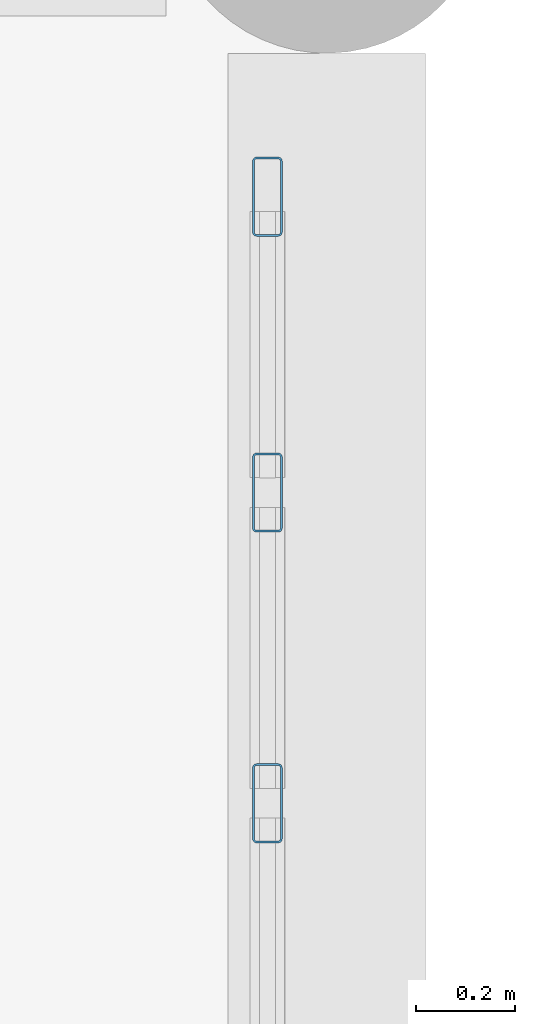
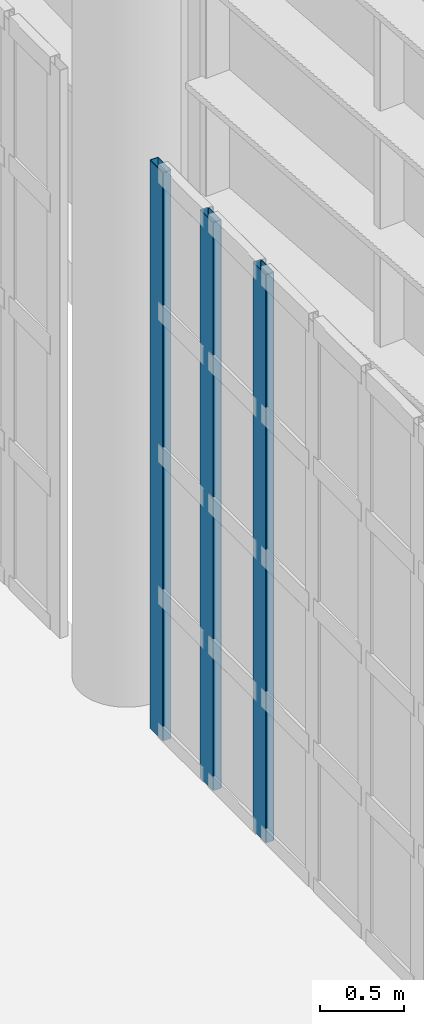
# One storey, part 188 of 372: 3 members, 1 element without a shape of its own.
"""IFC4 building model written with IfcOpenShell, lengths in metres."""

import ifcopenshell
import ifcopenshell.guid

model = None  # the IFC model being written
_history = None  # IfcOwnerHistory: only IFC2X3 demands one
_inside = {}  # id of a spatial element -> (the spatial element, [elements in it])
_under = {}  # id of a project, library or spatial element -> (it, [spatial elements below it])
_declared = {}  # id of a project -> (the project, [libraries it declares])
_typed = {}  # id of a type object -> (the type object, [elements of that type])
_made_of = {}  # id of a material, layer set ... -> (it, [elements and type objects made of it])


def new_model(schema):
    """Start an empty IFC model of exactly this schema.

    Asked for "IFC4X3", IfcOpenShell would pick the latest addendum, in which some entities
    have other attributes; the version numbers below select the first issue.
    IFC2X3 requires an IfcOwnerHistory on every rooted entity: one is made here for all.
    """
    global model, _history
    if schema == "IFC4X3":
        model = ifcopenshell.file(schema_version=(4, 3, 0, 0))
    else:
        model = ifcopenshell.file(schema=schema)
    _inside.clear()
    _under.clear()
    _declared.clear()
    _typed.clear()
    _made_of.clear()
    _history = None
    if model.schema == "IFC2X3":
        org = make("IfcOrganization", Name="unknown")
        user = make(
            "IfcPersonAndOrganization",
            ThePerson=make("IfcPerson", FamilyName="unknown"),
            TheOrganization=org,
        )
        app = make(
            "IfcApplication",
            ApplicationDeveloper=org,
            Version="unknown",
            ApplicationFullName="unknown",
            ApplicationIdentifier="unknown",
        )
        _history = make(
            "IfcOwnerHistory",
            OwningUser=user,
            OwningApplication=app,
            ChangeAction="ADDED",
            CreationDate=0,
        )
    return model


def make(cls, **values):
    """One entity of the class cls with the attributes given. An attribute that is None is left unset."""
    return model.create_entity(
        cls, **{name: value for name, value in values.items() if value is not None}
    )


def rooted(cls, **values):
    """An entity with a GlobalId (a new one), such as an element, a storey or a relation."""
    return make(cls, GlobalId=ifcopenshell.guid.new(), OwnerHistory=_history, **values)


def si_unit(unit_type, name, prefix=None):
    """IfcSIUnit, for example si_unit("LENGTHUNIT", "METRE", prefix="MILLI")."""
    return make("IfcSIUnit", UnitType=unit_type, Prefix=prefix, Name=name)


def assignment(units):
    """IfcUnitAssignment: the units of a project."""
    return None if units is None else make("IfcUnitAssignment", Units=units)


def point(xyz):
    """IfcCartesianPoint."""
    return None if xyz is None else make("IfcCartesianPoint", Coordinates=xyz)


def direction(xyz):
    """IfcDirection."""
    return None if xyz is None else make("IfcDirection", DirectionRatios=xyz)


def frame(location, z_axis=None, x_axis=None):
    """IfcAxis2Placement3D, a coordinate frame: its origin and axes. An axis left out is left unset."""
    return make(
        "IfcAxis2Placement3D",
        Location=point(location),
        Axis=direction(z_axis),
        RefDirection=direction(x_axis),
    )


def frame_2d(location, x_axis=None):
    """IfcAxis2Placement2D, a coordinate frame in the plane: its origin and x axis."""
    return make(
        "IfcAxis2Placement2D", Location=point(location), RefDirection=direction(x_axis)
    )


def origin():
    """The frame at (0, 0, 0) with its axes left unset."""
    return frame((0.0, 0.0, 0.0))


def origin_2d():
    """The frame at (0, 0) in the plane with its x axis left unset."""
    return frame_2d((0.0, 0.0))


def place(relative_to, where):
    """IfcLocalPlacement: puts the frame where relative to a parent placement (None: the world)."""
    return make(
        "IfcLocalPlacement", PlacementRelTo=relative_to, RelativePlacement=where
    )


def context(
    kind, dimensions, precision=None, world=None, true_north=None, identifier=None
):
    """IfcGeometricRepresentationContext, for example the 3D "Model" context."""
    return make(
        "IfcGeometricRepresentationContext",
        ContextIdentifier=identifier,
        ContextType=kind,
        CoordinateSpaceDimension=dimensions,
        Precision=precision,
        WorldCoordinateSystem=world,
        TrueNorth=true_north,
    )


def subcontext(parent, identifier, kind, view, scale=None):
    """IfcGeometricRepresentationSubContext, for example "Body" below "Model"."""
    return make(
        "IfcGeometricRepresentationSubContext",
        ContextIdentifier=identifier,
        ContextType=kind,
        ParentContext=parent,
        TargetScale=scale,
        TargetView=view,
    )


def project(units=None, contexts=None):
    """IfcProject with its units and contexts."""
    return rooted(
        "IfcProject",
        Name="project",
        RepresentationContexts=contexts,
        UnitsInContext=assignment(units),
    )


def spatial(cls, under=None, at=None, **own):
    """A site, building, storey or space (cls), placed at a placement, below another one or the project."""
    s = rooted(cls, ObjectPlacement=at, **own)
    if under is not None:
        _under.setdefault(under.id(), (under, []))[1].append(s)
    return s


def profile(cls, at=None, kind="AREA", **sizes):
    """A parametric profile (cls). Its sizes go by their IFC names, for example OverallWidth=200.0."""
    return make(cls, ProfileType=kind, Position=at, **sizes)


def hollow_rectangle(**sizes):
    """IfcRectangleHollowProfileDef."""
    return profile("IfcRectangleHollowProfileDef", **sizes)


def extrude(swept, where, along, depth):
    """IfcExtrudedAreaSolid: the profile swept, set in the frame where, extruded along a direction by depth."""
    return make(
        "IfcExtrudedAreaSolid",
        SweptArea=swept,
        Position=where,
        ExtrudedDirection=direction(along),
        Depth=depth,
    )


def shape(context_of_items, identifier, shape_type, items):
    """IfcShapeRepresentation: the items that make up one representation, for example the "Body"."""
    return make(
        "IfcShapeRepresentation",
        ContextOfItems=context_of_items,
        RepresentationIdentifier=identifier,
        RepresentationType=shape_type,
        Items=items,
    )


def material(Name=None, Category=None):
    """IfcMaterial."""
    return make("IfcMaterial", Name=Name, Category=Category)


def material_profile(
    of_material, cross_section, Name=None, Category=None, Priority=None
):
    """IfcMaterialProfile: a cross section and its material."""
    return make(
        "IfcMaterialProfile",
        Name=Name,
        Material=of_material,
        Profile=cross_section,
        Priority=Priority,
        Category=Category,
    )


def profile_set(profiles, Name=None, composite=None):
    """IfcMaterialProfileSet."""
    return make(
        "IfcMaterialProfileSet",
        Name=Name,
        MaterialProfiles=profiles,
        CompositeProfile=composite,
    )


def made_of(thing, what):
    """Note that an element or type object is made of a material, layer set ...; save() writes the relation."""
    if what is not None:
        _made_of.setdefault(what.id(), (what, []))[1].append(thing)
    return thing


def type_object(cls, material=None, **own):
    """A type object (cls), such as IfcWallType, which elements share."""
    return made_of(rooted(cls, **own), material)


def element(
    cls,
    number,
    at=None,
    inside=None,
    cuts=None,
    type_object=None,
    material=None,
    context=None,
    identifier="Body",
    shape_type=None,
    held_by="IfcProductDefinitionShape",
    body=None,
    shapes=None,
    **own,
):
    """One element of the class cls, such as IfcWall. Its Tag is "e" and its number.

    at: its placement. inside: the storey or other place that contains it. cuts: it is an
    opening in that element (IfcRelVoidsElement). A single representation is given by context,
    identifier, shape_type and body (its items); several are given by shapes. held_by: the class
    of the entity that holds the representations. save() writes the other relations.
    """
    e = rooted(cls, Tag="e%d" % number, ObjectPlacement=at, **own)
    if body is not None:
        shapes = [shape(context, identifier, shape_type, body)]
    if shapes is not None:
        e.Representation = make(held_by, Representations=shapes)
    if inside is not None:
        _inside.setdefault(inside.id(), (inside, []))[1].append(e)
    if cuts is not None:
        rooted(
            "IfcRelVoidsElement", RelatingBuildingElement=cuts, RelatedOpeningElement=e
        )
    if type_object is not None:
        _typed.setdefault(type_object.id(), (type_object, []))[1].append(e)
    return made_of(e, material)


def aggregate(whole, parts):
    """IfcRelAggregates: a whole, such as a stair, and the parts it consists of."""
    return rooted("IfcRelAggregates", RelatingObject=whole, RelatedObjects=parts)


def save(model, path):
    """Write the relations noted so far, then the file.

    IfcRelAggregates (storeys below a building ...), IfcRelContainedInSpatialStructure (elements
    in a storey), IfcRelDefinesByType, IfcRelAssociatesMaterial and IfcRelDeclares: one each for
    every whole, place, type object, material and project.
    """
    for whole, parts in _under.values():
        aggregate(whole, parts)
    for where, things in _inside.values():
        rooted(
            "IfcRelContainedInSpatialStructure",
            RelatedElements=things,
            RelatingStructure=where,
        )
    for kind, things in _typed.values():
        rooted("IfcRelDefinesByType", RelatedObjects=things, RelatingType=kind)
    for what, things in _made_of.values():
        rooted("IfcRelAssociatesMaterial", RelatedObjects=things, RelatingMaterial=what)
    for by, libraries in _declared.values():
        rooted("IfcRelDeclares", RelatingContext=by, RelatedDefinitions=libraries)
    model.write(path)


model = new_model("IFC4")

# Units and contexts
model_context = context("Model", 3, precision=1e-05, world=origin(), true_north=direction((0.0, 1.0)))
body_context = subcontext(model_context, "Body", "Model", "MODEL_VIEW")
ifc_project = project(units=[si_unit("LENGTHUNIT", "METRE"), si_unit("AREAUNIT", "SQUARE_METRE"), si_unit("VOLUMEUNIT", "CUBIC_METRE"), si_unit("PLANEANGLEUNIT", "RADIAN"), si_unit("MASSUNIT", "GRAM", prefix="KILO")], contexts=[model_context])

# Site, building, storey
site_placement = place(None, origin())
site = spatial("IfcSite", under=ifc_project, at=site_placement, CompositionType="ELEMENT")
building_placement = place(site_placement, origin())
building = spatial("IfcBuilding", under=site, at=building_placement, Name="Kaelora Sail Theatre", CompositionType="ELEMENT")
storey_placement = place(building_placement, origin())
storey = spatial("IfcBuildingStorey", under=building, at=storey_placement, Name="L00", CompositionType="ELEMENT", Elevation=0.0)

# Curtain wall, members
ifc_material_1 = material(Name="Anodised aluminium and solar-control low-E IGU", Category="aluminium")
curtain_wall_type = type_object("IfcCurtainWallType", Name="ARC-CW-CW-FOY1", PredefinedType="NOTDEFINED", material=ifc_material_1)
curtain_wall_placement = place(storey_placement, origin())
curtain_wall = element("IfcCurtainWall", 1, at=curtain_wall_placement, inside=storey, type_object=curtain_wall_type, Name="West Interstitial Foyer East Glazed Return L00-03", PredefinedType="NOTDEFINED")
ifc_material_2 = material(Name="Anodised aluminium 6063-T6", Category="aluminium")
ifc_material_profile = material_profile(ifc_material_2, hollow_rectangle(XDim=0.06005859375, YDim=0.159912109375, WallThickness=0.00390625, InnerFilletRadius=0.00390625, OuterFilletRadius=0.008056640625, at=origin_2d()), Name="ALU-MULL 60x160x4")
ifc_profile_set = profile_set([ifc_material_profile], Name="Anodised aluminium 6063-T6")
member_type = type_object("IfcMemberType", Name="ARC-MEM-ML-160", PredefinedType="MULLION", material=ifc_profile_set)
member_1_placement = place(storey_placement, frame((74.280029296875, 51.7392578125, 0.0), z_axis=(0.0, 0.0, 1.0), x_axis=(-1.0, 0.0, 0.0)))
member_1 = element("IfcMember", 2, at=member_1_placement, type_object=member_type, Name="CW-FOY1 mullion 6", PredefinedType="MULLION", context=body_context, shape_type="SweptSolid", body=[
    extrude(hollow_rectangle(XDim=0.06005859375, YDim=0.159912109375, WallThickness=0.00390625, InnerFilletRadius=0.00390625, OuterFilletRadius=0.008056640625, at=origin_2d()), origin(), (0.0, 0.0, 1.0), 4.136962890625),
])
member_2_placement = place(storey_placement, frame((74.280029296875, 52.3671875, 0.0), z_axis=(0.0, 0.0, 1.0), x_axis=(-1.0, 0.0, 0.0)))
member_2 = element("IfcMember", 3, at=member_2_placement, type_object=member_type, Name="CW-FOY1 mullion 7", PredefinedType="MULLION", context=body_context, shape_type="SweptSolid", body=[
    extrude(hollow_rectangle(XDim=0.06005859375, YDim=0.159912109375, WallThickness=0.00390625, InnerFilletRadius=0.00390625, OuterFilletRadius=0.008056640625, at=origin_2d()), origin(), (0.0, 0.0, 1.0), 4.136962890625),
])
member_3_placement = place(storey_placement, frame((74.280029296875, 52.965087890625, 0.0), z_axis=(0.0, 0.0, 1.0), x_axis=(-1.0, 0.0, 0.0)))
member_3 = element("IfcMember", 4, at=member_3_placement, type_object=member_type, Name="CW-FOY1 mullion 8", PredefinedType="MULLION", context=body_context, shape_type="SweptSolid", body=[
    extrude(hollow_rectangle(XDim=0.06005859375, YDim=0.159912109375, WallThickness=0.00390625, InnerFilletRadius=0.00390625, OuterFilletRadius=0.008056640625, at=origin_2d()), origin(), (0.0, 0.0, 1.0), 4.136962890625),
])
aggregate(curtain_wall, [member_1, member_2, member_3])

save(model, "model.ifc")
